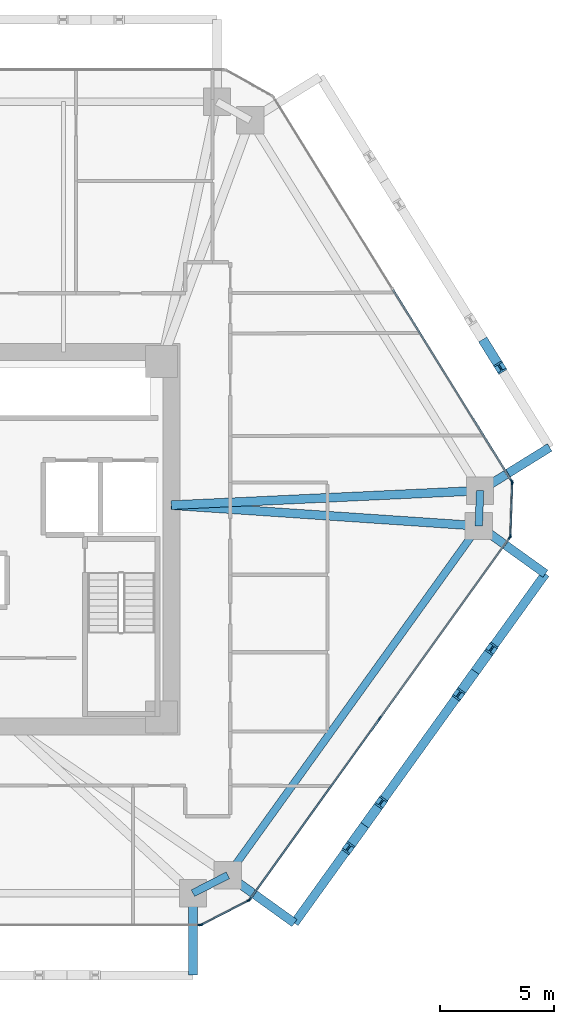
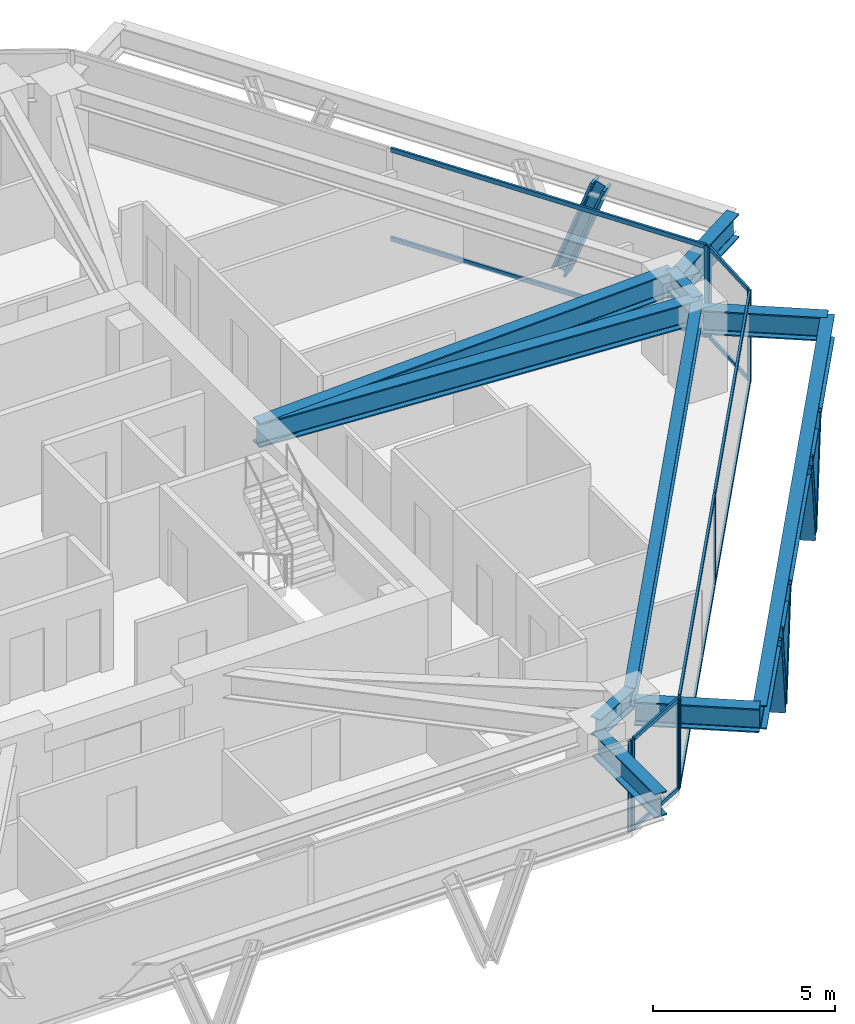
# One storey, part 5 of 14: 24 members, 10 beams, 5 elements without a shape of their own.
"""IFC4 building model written with IfcOpenShell, lengths in metres."""

from ifc_helpers import new_model, si_unit, direction, frame, origin, origin_2d, place, context, subcontext, project, spatial, rectangle, i_section, extrude, source, transform, mapped, material, layer, layer_set, material_profile, profile_set, type_object, type_shapes, element, aggregate, save


model = new_model("IFC4")

# Units and contexts
model_context = context("Model", 3, precision=1e-05, world=origin(), true_north=direction((0.0, 1.0)))
body_context = subcontext(model_context, "Body", "Model", "MODEL_VIEW")
ifc_project = project(units=[si_unit("LENGTHUNIT", "METRE"), si_unit("AREAUNIT", "SQUARE_METRE"), si_unit("VOLUMEUNIT", "CUBIC_METRE"), si_unit("PLANEANGLEUNIT", "RADIAN"), si_unit("MASSUNIT", "GRAM", prefix="KILO")], contexts=[model_context])

# Site, building, storey
site_placement = place(None, origin())
site = spatial("IfcSite", under=ifc_project, at=site_placement, CompositionType="ELEMENT")
building_placement = place(site_placement, origin())
building = spatial("IfcBuilding", under=site, at=building_placement, Name="Durnholm Broadcast Tower", CompositionType="ELEMENT")
storey_placement = place(building_placement, frame((0.0, 0.0, 114.0)))
storey = spatial("IfcBuildingStorey", under=building, at=storey_placement, Name="L30", CompositionType="ELEMENT", Elevation=114.0)

# Beams
ifc_material_1 = material(Name="Steel ASTM A992 Grade 50", Category="steel")
ifc_material_profile_1 = material_profile(ifc_material_1, i_section(OverallWidth=0.385009765625, OverallDepth=0.802978515625, WebThickness=0.023681640625, FlangeThickness=0.0419921875, FilletRadius=0.032958984375, at=origin_2d()), Name="W30X261")
ifc_profile_set_1 = profile_set([ifc_material_profile_1], Name="Steel ASTM A992 Grade 50")
beam_type_1 = type_object("IfcBeamType", Name="BM-EXO-TIE", PredefinedType="USERDEFINED", material=ifc_profile_set_1)
shared_shape_1 = source(origin(), body_context, "Body", "SweptSolid", [
    extrude(i_section(OverallWidth=0.385009765625, OverallDepth=0.802978515625, WebThickness=0.023681640625, FlangeThickness=0.0419921875, FilletRadius=0.032958984375, at=origin_2d()), origin(), (0.0, 0.0, 1.0), 3.4560546875),
])
for number, where, z_axis, x_axis, name in (
    (1, (11.176025390625, -15.680908203125, 2.30859375), (0.0, -1.0, 0.0), (1.0, 0.0, 0.0), "L30 exoskeleton stand-off tie bracket F1.2"),
    (2, (12.826904296875, -14.834228515625, 2.30859375), (0.812164951739, -0.583427880005, 0.0), (0.583427880005, 0.812164951739, 0.0), "L30 exoskeleton stand-off tie bracket F2.1"),
    (3, (23.844970703125, 0.5029296875, 2.30859375), (0.812164951739, -0.583427880005, 0.0), (0.583427880005, 0.812164951739, 0.0), "L30 exoskeleton stand-off tie bracket F2.2"),
    (4, (23.903076171875, 2.21240234375, 2.30859375), (0.849795112316, 0.527113144481, 0.0), (-0.527113144481, 0.849795112316, 0.0), "L30 exoskeleton stand-off tie bracket F3.1"),
):
    element("IfcBeam", number, at=place(storey_placement, frame(where, z_axis=z_axis, x_axis=x_axis)), inside=storey, type_object=beam_type_1, Name=name, ObjectType="GIRDER", PredefinedType="USERDEFINED", context=body_context, shape_type="MappedRepresentation", body=[
        mapped(shared_shape_1, transform((0.0, 0.0, 0.0), x_axis=(1.0, 0.0, 0.0), y_axis=(0.0, 1.0, 0.0), z_axis=(0.0, 0.0, 1.0), scale=1.0)),
    ])
ifc_material_profile_2 = material_profile(ifc_material_1, i_section(OverallWidth=0.3291015625, OverallDepth=0.635009765625, WebThickness=0.017822265625, FlangeThickness=0.031005859375, FilletRadius=0.02783203125, at=origin_2d()), Name="W24X162")
ifc_profile_set_2 = profile_set([ifc_material_profile_2], Name="Steel ASTM A992 Grade 50")
beam_type_2 = type_object("IfcBeamType", Name="STL-SP-W24X162", PredefinedType="SPANDREL", material=ifc_profile_set_2)
shared_shape_2 = source(origin(), body_context, "Body", "SweptSolid", [
    extrude(i_section(OverallWidth=0.3291015625, OverallDepth=0.635009765625, WebThickness=0.017822265625, FlangeThickness=0.031005859375, FilletRadius=0.02783203125, at=origin_2d()), origin(), (0.0, 0.0, 1.0), 18.884521484375),
])
beam_1_placement = place(storey_placement, frame((23.72802734375, 0.5869140625, 2.7275390625), z_axis=(-0.583443434414, -0.812153777827, 0.0), x_axis=(0.812153777827, -0.583443434414, 0.0)))
element("IfcBeam", 5, at=beam_1_placement, inside=storey, type_object=beam_type_2, Name="L30 perimeter spandrel girder 09", PredefinedType="SPANDREL", context=body_context, shape_type="MappedRepresentation", body=[
    mapped(shared_shape_2, transform((0.0, 0.0, 0.0), x_axis=(1.0, 0.0, 0.0), y_axis=(0.0, 1.0, 0.0), z_axis=(0.0, 0.0, 1.0), scale=1.0)),
])
shared_shape_3 = source(origin(), body_context, "Body", "SweptSolid", [
    extrude(i_section(OverallWidth=0.3291015625, OverallDepth=0.635009765625, WebThickness=0.017822265625, FlangeThickness=0.031005859375, FilletRadius=0.02783203125, at=origin_2d()), origin(), (0.0, 0.0, 1.0), 1.723876953125),
])
beam_2_placement = place(storey_placement, frame((12.7099609375, -14.750244140625, 2.7275390625), z_axis=(-0.889762904339, -0.456423020959, 0.0), x_axis=(0.456423020959, -0.889762904339, 0.0)))
element("IfcBeam", 6, at=beam_2_placement, inside=storey, type_object=beam_type_2, Name="L30 perimeter spandrel girder 10", PredefinedType="SPANDREL", context=body_context, shape_type="MappedRepresentation", body=[
    mapped(shared_shape_3, transform((0.0, 0.0, 0.0), x_axis=(1.0, 0.0, 0.0), y_axis=(0.0, 1.0, 0.0), z_axis=(0.0, 0.0, 1.0), scale=1.0)),
])
shared_shape_4 = source(origin(), body_context, "Body", "SweptSolid", [
    extrude(i_section(OverallWidth=0.3291015625, OverallDepth=0.635009765625, WebThickness=0.017822265625, FlangeThickness=0.031005859375, FilletRadius=0.02783203125, at=origin_2d()), origin(), (0.0, 0.0, 1.0), 1.55078125),
])
type_shapes(beam_type_2, [shared_shape_2, shared_shape_3, shared_shape_4])
beam_3_placement = place(storey_placement, frame((23.78076171875, 2.13671875, 2.7275390625), z_axis=(-0.03400678419, -0.999421602042, 0.0), x_axis=(0.999421602042, -0.03400678419, 0.0)))
element("IfcBeam", 7, at=beam_3_placement, inside=storey, type_object=beam_type_2, Name="L30 perimeter spandrel girder 08", PredefinedType="SPANDREL", context=body_context, shape_type="MappedRepresentation", body=[
    mapped(shared_shape_4, transform((0.0, 0.0, 0.0), x_axis=(1.0, 0.0, 0.0), y_axis=(0.0, 1.0, 0.0), z_axis=(0.0, 0.0, 1.0), scale=1.0)),
])
ifc_material_profile_3 = material_profile(ifc_material_1, i_section(OverallWidth=0.385009765625, OverallDepth=0.802978515625, WebThickness=0.023681640625, FlangeThickness=0.0419921875, FilletRadius=0.032958984375, at=origin_2d()), Name="W30X261")
ifc_profile_set_3 = profile_set([ifc_material_profile_3], Name="Steel ASTM A992 Grade 50")
beam_type_3 = type_object("IfcBeamType", Name="STL-GR-W30X261", PredefinedType="USERDEFINED", material=ifc_profile_set_3)
shared_shape_5 = source(origin(), body_context, "Body", "SweptSolid", [
    extrude(i_section(OverallWidth=0.385009765625, OverallDepth=0.802978515625, WebThickness=0.023681640625, FlangeThickness=0.0419921875, FilletRadius=0.032958984375, at=origin_2d()), origin(), (0.0, 0.0, 1.0), 13.570556640625),
])
beam_4_placement = place(storey_placement, frame((10.22509765625, 1.5, 2.6435546875), z_axis=(0.99889869961, 0.046918950518, 0.0), x_axis=(-0.046918950518, 0.99889869961, 0.0)))
element("IfcBeam", 8, at=beam_4_placement, inside=storey, type_object=beam_type_3, Name="L30 radial primary floor girder 08", ObjectType="GIRDER", PredefinedType="USERDEFINED", context=body_context, shape_type="MappedRepresentation", body=[
    mapped(shared_shape_5, transform((0.0, 0.0, 0.0), x_axis=(1.0, 0.0, 0.0), y_axis=(0.0, 1.0, 0.0), z_axis=(0.0, 0.0, 1.0), scale=1.0)),
])
shared_shape_6 = source(origin(), body_context, "Body", "SweptSolid", [
    extrude(i_section(OverallWidth=0.385009765625, OverallDepth=0.802978515625, WebThickness=0.023681640625, FlangeThickness=0.0419921875, FilletRadius=0.032958984375, at=origin_2d()), origin(), (0.0, 0.0, 1.0), 13.53369140625),
])
type_shapes(beam_type_3, [shared_shape_5, shared_shape_6])
beam_5_placement = place(storey_placement, frame((10.22509765625, 1.5, 2.6435546875), z_axis=(0.99772148964, -0.067467244725, 0.0), x_axis=(0.067467244725, 0.99772148964, 0.0)))
element("IfcBeam", 9, at=beam_5_placement, inside=storey, type_object=beam_type_3, Name="L30 radial primary floor girder 09", ObjectType="GIRDER", PredefinedType="USERDEFINED", context=body_context, shape_type="MappedRepresentation", body=[
    mapped(shared_shape_6, transform((0.0, 0.0, 0.0), x_axis=(1.0, 0.0, 0.0), y_axis=(0.0, 1.0, 0.0), z_axis=(0.0, 0.0, 1.0), scale=1.0)),
])
shared_shape_7 = source(origin(), body_context, "Body", "SweptSolid", [
    extrude(i_section(OverallWidth=0.385009765625, OverallDepth=0.802978515625, WebThickness=0.023681640625, FlangeThickness=0.0419921875, FilletRadius=0.032958984375, at=origin_2d()), origin(), (0.0, 0.0, 1.0), 18.884521484375),
])
type_shapes(beam_type_1, [shared_shape_1, shared_shape_7])
beam_6_placement = place(storey_placement, frame((15.6337890625, -16.8505859375, 2.30859375), z_axis=(0.583443434414, 0.812153777827, 0.0), x_axis=(-0.812153777827, 0.583443434414, 0.0)))
element("IfcBeam", 10, at=beam_6_placement, inside=storey, type_object=beam_type_1, Name="L30 exoskeleton collector spandrel F2", PredefinedType="SPANDREL", context=body_context, shape_type="MappedRepresentation", body=[
    mapped(shared_shape_7, transform((0.0, 0.0, 0.0), x_axis=(1.0, 0.0, 0.0), y_axis=(0.0, 1.0, 0.0), z_axis=(0.0, 0.0, 1.0), scale=1.0)),
])

# Members
ifc_material_2 = material(Name="Steel ASTM A913 Grade 65", Category="steel")
ifc_material_profile_4 = material_profile(ifc_material_2, i_section(OverallWidth=0.424072265625, OverallDepth=0.47412109375, WebThickness=0.047607421875, FlangeThickness=0.0771484375, FilletRadius=0.030517578125, at=origin_2d()), Name="W14X426")
ifc_profile_set_4 = profile_set([ifc_material_profile_4], Name="Steel ASTM A913 Grade 65")
member_type_1 = type_object("IfcMemberType", Name="STL-DG-W14X426", PredefinedType="BRACE", material=ifc_profile_set_4)
shared_shape_8 = source(origin(), body_context, "Body", "SweptSolid", [
    extrude(i_section(OverallWidth=0.424072265625, OverallDepth=0.47412109375, WebThickness=0.047607421875, FlangeThickness=0.0771484375, FilletRadius=0.030517578125, at=origin_2d()), origin(), (0.0, 0.0, 1.0), 3.523193359375),
])
type_shapes(member_type_1, [shared_shape_8])
for number, where, z_axis, x_axis, name in (
    (11, (18.71875, -12.556396484375, -0.991455078125), (-0.204287819296, -0.284395254542, 0.936688756248), (0.812179469647, -0.583407669717, 0.0), "L30 stand-off diagrid brace F2.D1.1"),
    (12, (18.71875, -12.556396484375, -0.991455078125), (0.204350195342, 0.284454917557, 0.936657033039), (-0.812153063014, 0.583444429434, 0.0), "L30 stand-off diagrid brace F2.D1.2"),
    (13, (23.56689453125, -5.807861328125, -0.991455078125), (-0.204350195342, -0.284454917557, 0.936657033039), (0.812153063014, -0.583444429434, 0.0), "L30 stand-off diagrid brace F2.D2.1"),
    (14, (23.56689453125, -5.807861328125, -0.991455078125), (0.204287819296, 0.284395254542, 0.936688756248), (-0.812179469647, 0.583407669717, 0.0), "L30 stand-off diagrid brace F2.D2.2"),
    (15, (24.01513671875, 8.58837890625, -0.991455078125), (0.184602835855, -0.297623566065, 0.936665364961), (0.849805205368, 0.527096872433, 0.0), "L30 stand-off diagrid brace F3.D1.1"),
):
    element("IfcMember", number, at=place(storey_placement, frame(where, z_axis=z_axis, x_axis=x_axis)), inside=storey, type_object=member_type_1, Name=name, PredefinedType="BRACE", context=body_context, shape_type="MappedRepresentation", body=[
        mapped(shared_shape_8, transform((0.0, 0.0, 0.0), x_axis=(1.0, 0.0, 0.0), y_axis=(0.0, 1.0, 0.0), z_axis=(0.0, 0.0, 1.0), scale=1.0)),
    ])

# Curtain wall, members
ifc_material_3 = material(Name="Aluminium and Solar Control IGU", Category="aluminium")
ifc_layer_1 = layer(ifc_material_3, 0.1650390625)
ifc_layer_set_1 = layer_set([ifc_layer_1], Name="Aluminium and Solar Control IGU")
curtain_wall_type_1 = type_object("IfcCurtainWallType", Name="CW-SYS-5", PredefinedType="NOTDEFINED", material=ifc_layer_set_1)
curtain_wall_1_placement = place(storey_placement, origin())
curtain_wall_1 = element("IfcCurtainWall", 16, at=curtain_wall_1_placement, inside=storey, type_object=curtain_wall_type_1, Name="L30 curtain wall CW-CORNER CW-L30-CRN-07", PredefinedType="NOTDEFINED")
ifc_material_4 = material(Name="Aluminium 6063-T6", Category="aluminium")
ifc_material_profile_5 = material_profile(ifc_material_4, rectangle(XDim=0.06494140625, YDim=0.1650390625, at=origin_2d()), Name="CWM65X165")
ifc_profile_set_5 = profile_set([ifc_material_profile_5], Name="Aluminium 6063-T6")
member_type_2 = type_object("IfcMemberType", Name="CW-SYS-5-MUL", PredefinedType="MULLION", material=ifc_profile_set_5)
shared_shape_9 = source(origin(), body_context, "Body", "SweptSolid", [
    extrude(rectangle(XDim=0.06494140625, YDim=0.1650390625, at=origin_2d()), origin(), (0.0, 0.0, 1.0), 3.06005859375),
])
type_shapes(member_type_2, [shared_shape_9])
member_1_placement = place(storey_placement, frame((25.193115234375, 2.481201171875, 0.0), z_axis=(0.0, 0.0, 1.0), x_axis=(0.999424655155, -0.033916937775, 0.0)))
member_1 = element("IfcMember", 17, at=member_1_placement, type_object=member_type_2, Name="CW-CORNER mullion 1", PredefinedType="MULLION", context=body_context, shape_type="MappedRepresentation", body=[
    mapped(shared_shape_9, transform((0.0, 0.0, 0.0), x_axis=(1.0, 0.0, 0.0), y_axis=(0.0, 1.0, 0.0), z_axis=(0.0, 0.0, 1.0), scale=1.0)),
])
member_2_placement = place(storey_placement, frame((25.114013671875, 0.1474609375, 0.0), z_axis=(0.0, 0.0, 1.0), x_axis=(0.999424655155, -0.033916937775, 0.0)))
member_2 = element("IfcMember", 18, at=member_2_placement, type_object=member_type_2, Name="CW-CORNER mullion 2", PredefinedType="MULLION", context=body_context, shape_type="MappedRepresentation", body=[
    mapped(shared_shape_9, transform((0.0, 0.0, 0.0), x_axis=(1.0, 0.0, 0.0), y_axis=(0.0, 1.0, 0.0), z_axis=(0.0, 0.0, 1.0), scale=1.0)),
])

curtain_wall_2_placement = place(storey_placement, origin())
curtain_wall_2 = element("IfcCurtainWall", 19, at=curtain_wall_2_placement, inside=storey, type_object=curtain_wall_type_1, Name="L30 curtain wall CW-CORNER CW-L30-CRN-09", PredefinedType="NOTDEFINED")
member_3_placement = place(storey_placement, frame((13.620849609375, -15.8564453125, 0.0), z_axis=(0.0, 0.0, 1.0), x_axis=(0.45637332267, -0.889788396392, 0.0)))
member_3 = element("IfcMember", 20, at=member_3_placement, type_object=member_type_2, Name="CW-CORNER mullion 1", PredefinedType="MULLION", context=body_context, shape_type="MappedRepresentation", body=[
    mapped(shared_shape_9, transform((0.0, 0.0, 0.0), x_axis=(1.0, 0.0, 0.0), y_axis=(0.0, 1.0, 0.0), z_axis=(0.0, 0.0, 1.0), scale=1.0)),
])
member_4_placement = place(storey_placement, frame((11.543212890625, -16.922119140625, 0.0), z_axis=(0.0, 0.0, 1.0), x_axis=(0.45637332267, -0.889788396392, 0.0)))
member_4 = element("IfcMember", 21, at=member_4_placement, type_object=member_type_2, Name="CW-CORNER mullion 2", PredefinedType="MULLION", context=body_context, shape_type="MappedRepresentation", body=[
    mapped(shared_shape_9, transform((0.0, 0.0, 0.0), x_axis=(1.0, 0.0, 0.0), y_axis=(0.0, 1.0, 0.0), z_axis=(0.0, 0.0, 1.0), scale=1.0)),
])

# Curtain wall, member
ifc_layer_2 = layer(ifc_material_3, 0.18994140625)
ifc_layer_set_2 = layer_set([ifc_layer_2], Name="Aluminium and Solar Control IGU")
curtain_wall_type_2 = type_object("IfcCurtainWallType", Name="CW-SYS-3", PredefinedType="NOTDEFINED", material=ifc_layer_set_2)
curtain_wall_3_placement = place(storey_placement, origin())
curtain_wall_3 = element("IfcCurtainWall", 22, at=curtain_wall_3_placement, inside=storey, type_object=curtain_wall_type_2, Name="L30 curtain wall CW-Z12-VIS CW-L30-F06", PredefinedType="NOTDEFINED")
ifc_material_profile_6 = material_profile(ifc_material_4, rectangle(XDim=0.070068359375, YDim=0.18994140625, at=origin_2d()), Name="CWM70X190")
ifc_profile_set_6 = profile_set([ifc_material_profile_6], Name="Aluminium 6063-T6")
member_type_3 = type_object("IfcMemberType", Name="CW-SYS-3-MUL", PredefinedType="MULLION", material=ifc_profile_set_6)
shared_shape_10 = source(origin(), body_context, "Body", "SweptSolid", [
    extrude(rectangle(XDim=0.070068359375, YDim=0.18994140625, at=origin_2d()), origin(), (0.0, 0.0, 1.0), 3.06005859375),
])
type_shapes(member_type_3, [shared_shape_10])
member_5_placement = place(storey_placement, frame((25.17578125, 2.54345703125, 0.0), z_axis=(0.0, 0.0, 1.0), x_axis=(0.849799925229, 0.527105385176, 0.0)))
member_5 = element("IfcMember", 23, at=member_5_placement, type_object=member_type_3, Name="CW-Z12-VIS mullion 3", PredefinedType="MULLION", context=body_context, shape_type="MappedRepresentation", body=[
    mapped(shared_shape_10, transform((0.0, 0.0, 0.0), x_axis=(1.0, 0.0, 0.0), y_axis=(0.0, 1.0, 0.0), z_axis=(0.0, 0.0, 1.0), scale=1.0)),
])

# Curtain wall, members
curtain_wall_4_placement = place(storey_placement, origin())
curtain_wall_4 = element("IfcCurtainWall", 24, at=curtain_wall_4_placement, inside=storey, type_object=curtain_wall_type_2, Name="L30 curtain wall CW-Z12-VIS CW-L30-F08", PredefinedType="NOTDEFINED")
member_6_placement = place(storey_placement, frame((25.092529296875, 0.086669921875, 0.0), z_axis=(0.0, 0.0, 1.0), x_axis=(0.812152312759, -0.583445473786, 0.0)))
member_6 = element("IfcMember", 25, at=member_6_placement, type_object=member_type_3, Name="CW-Z12-VIS mullion 1", PredefinedType="MULLION", context=body_context, shape_type="MappedRepresentation", body=[
    mapped(shared_shape_10, transform((0.0, 0.0, 0.0), x_axis=(1.0, 0.0, 0.0), y_axis=(0.0, 1.0, 0.0), z_axis=(0.0, 0.0, 1.0), scale=1.0)),
])
member_7_placement = place(storey_placement, frame((19.38134765625, -7.86328125, 0.0), z_axis=(0.0, 0.0, 1.0), x_axis=(0.812152312759, -0.583445473786, 0.0)))
member_7 = element("IfcMember", 26, at=member_7_placement, type_object=member_type_3, Name="CW-Z12-VIS mullion 2", PredefinedType="MULLION", context=body_context, shape_type="MappedRepresentation", body=[
    mapped(shared_shape_10, transform((0.0, 0.0, 0.0), x_axis=(1.0, 0.0, 0.0), y_axis=(0.0, 1.0, 0.0), z_axis=(0.0, 0.0, 1.0), scale=1.0)),
])
member_8_placement = place(storey_placement, frame((13.670166015625, -15.813232421875, 0.0), z_axis=(0.0, 0.0, 1.0), x_axis=(0.812152312759, -0.583445473786, 0.0)))
member_8 = element("IfcMember", 27, at=member_8_placement, type_object=member_type_3, Name="CW-Z12-VIS mullion 3", PredefinedType="MULLION", context=body_context, shape_type="MappedRepresentation", body=[
    mapped(shared_shape_10, transform((0.0, 0.0, 0.0), x_axis=(1.0, 0.0, 0.0), y_axis=(0.0, 1.0, 0.0), z_axis=(0.0, 0.0, 1.0), scale=1.0)),
])

# Curtain wall, member
curtain_wall_5_placement = place(storey_placement, origin())
curtain_wall_5 = element("IfcCurtainWall", 28, at=curtain_wall_5_placement, inside=storey, type_object=curtain_wall_type_2, Name="L30 curtain wall CW-Z12-VIS CW-L30-F10", PredefinedType="NOTDEFINED")
member_9_placement = place(storey_placement, frame((11.479248046875, -16.93701171875, 0.0), z_axis=(0.0, 0.0, 1.0), x_axis=(0.0, -1.0, 0.0)))
member_9 = element("IfcMember", 29, at=member_9_placement, type_object=member_type_3, Name="CW-Z12-VIS mullion 1", PredefinedType="MULLION", context=body_context, shape_type="MappedRepresentation", body=[
    mapped(shared_shape_10, transform((0.0, 0.0, 0.0), x_axis=(1.0, 0.0, 0.0), y_axis=(0.0, 1.0, 0.0), z_axis=(0.0, 0.0, 1.0), scale=1.0)),
])
aggregate(curtain_wall_5, [member_9])

# Member
ifc_material_profile_7 = material_profile(ifc_material_4, rectangle(XDim=0.06494140625, YDim=0.1298828125, at=origin_2d()), Name="CWT65X130")
ifc_profile_set_7 = profile_set([ifc_material_profile_7], Name="Aluminium 6063-T6")
member_type_4 = type_object("IfcMemberType", Name="CW-SYS-5-TRN", PredefinedType="USERDEFINED", material=ifc_profile_set_7)
shared_shape_11 = source(origin(), body_context, "Body", "SweptSolid", [
    extrude(rectangle(XDim=0.06494140625, YDim=0.1298828125, at=origin_2d()), origin(), (0.0, 0.0, 1.0), 2.27001953125),
])
type_shapes(member_type_4, [shared_shape_11])
member_10_placement = place(storey_placement, frame((25.192138671875, 2.44873046875, 0.032470703125), z_axis=(-0.03398444704, -0.999422361847, 0.0), x_axis=(0.999422361847, -0.03398444704, 0.0)))
member_10 = element("IfcMember", 30, at=member_10_placement, type_object=member_type_4, Name="CW-CORNER transom 1.1", ObjectType="TRANSOM", PredefinedType="USERDEFINED", context=body_context, shape_type="MappedRepresentation", body=[
    mapped(shared_shape_11, transform((0.0, 0.0, 0.0), x_axis=(1.0, 0.0, 0.0), y_axis=(0.0, 1.0, 0.0), z_axis=(0.0, 0.0, 1.0), scale=1.0)),
])

member_11_placement = place(storey_placement, frame((25.192138671875, 2.44873046875, 3.027587890625), z_axis=(-0.03398444704, -0.999422361847, 0.0), x_axis=(0.999422361847, -0.03398444704, 0.0)))
member_11 = element("IfcMember", 31, at=member_11_placement, type_object=member_type_4, Name="CW-CORNER transom 1.2", ObjectType="TRANSOM", PredefinedType="USERDEFINED", context=body_context, shape_type="MappedRepresentation", body=[
    mapped(shared_shape_11, transform((0.0, 0.0, 0.0), x_axis=(1.0, 0.0, 0.0), y_axis=(0.0, 1.0, 0.0), z_axis=(0.0, 0.0, 1.0), scale=1.0)),
])

aggregate(curtain_wall_1, [member_1, member_2, member_10, member_11])

member_12_placement = place(storey_placement, frame((13.591796875, -15.871337890625, 0.032470703125), z_axis=(-0.889798425843, -0.456353767781, 0.0), x_axis=(0.456353767781, -0.889798425843, 0.0)))
member_12 = element("IfcMember", 32, at=member_12_placement, type_object=member_type_4, Name="CW-CORNER transom 1.1", ObjectType="TRANSOM", PredefinedType="USERDEFINED", context=body_context, shape_type="MappedRepresentation", body=[
    mapped(shared_shape_11, transform((0.0, 0.0, 0.0), x_axis=(1.0, 0.0, 0.0), y_axis=(0.0, 1.0, 0.0), z_axis=(0.0, 0.0, 1.0), scale=1.0)),
])

member_13_placement = place(storey_placement, frame((13.591796875, -15.871337890625, 3.027587890625), z_axis=(-0.889798425843, -0.456353767781, 0.0), x_axis=(0.456353767781, -0.889798425843, 0.0)))
member_13 = element("IfcMember", 33, at=member_13_placement, type_object=member_type_4, Name="CW-CORNER transom 1.2", ObjectType="TRANSOM", PredefinedType="USERDEFINED", context=body_context, shape_type="MappedRepresentation", body=[
    mapped(shared_shape_11, transform((0.0, 0.0, 0.0), x_axis=(1.0, 0.0, 0.0), y_axis=(0.0, 1.0, 0.0), z_axis=(0.0, 0.0, 1.0), scale=1.0)),
])

aggregate(curtain_wall_2, [member_3, member_4, member_12, member_13])

ifc_material_profile_8 = material_profile(ifc_material_4, rectangle(XDim=0.070068359375, YDim=0.14990234375, at=origin_2d()), Name="CWT70X150")
ifc_profile_set_8 = profile_set([ifc_material_profile_8], Name="Aluminium 6063-T6")
member_type_5 = type_object("IfcMemberType", Name="CW-SYS-3-TRN", PredefinedType="USERDEFINED", material=ifc_profile_set_8)
shared_shape_12 = source(origin(), body_context, "Body", "SweptSolid", [
    extrude(rectangle(XDim=0.070068359375, YDim=0.14990234375, at=origin_2d()), origin(), (0.0, 0.0, 1.0), 9.71875),
])
member_14_placement = place(storey_placement, frame((25.072021484375, 0.05810546875, 0.034912109375), z_axis=(-0.583450726174, -0.812148539448, 0.0), x_axis=(0.812148539448, -0.583450726174, 0.0)))
member_14 = element("IfcMember", 34, at=member_14_placement, type_object=member_type_5, Name="CW-Z12-VIS transom 1.1", ObjectType="TRANSOM", PredefinedType="USERDEFINED", context=body_context, shape_type="MappedRepresentation", body=[
    mapped(shared_shape_12, transform((0.0, 0.0, 0.0), x_axis=(1.0, 0.0, 0.0), y_axis=(0.0, 1.0, 0.0), z_axis=(0.0, 0.0, 1.0), scale=1.0)),
])

member_15_placement = place(storey_placement, frame((25.072021484375, 0.05810546875, 3.02490234375), z_axis=(-0.583450726174, -0.812148539448, 0.0), x_axis=(0.812148539448, -0.583450726174, 0.0)))
member_15 = element("IfcMember", 35, at=member_15_placement, type_object=member_type_5, Name="CW-Z12-VIS transom 1.2", ObjectType="TRANSOM", PredefinedType="USERDEFINED", context=body_context, shape_type="MappedRepresentation", body=[
    mapped(shared_shape_12, transform((0.0, 0.0, 0.0), x_axis=(1.0, 0.0, 0.0), y_axis=(0.0, 1.0, 0.0), z_axis=(0.0, 0.0, 1.0), scale=1.0)),
])

member_16_placement = place(storey_placement, frame((19.36083984375, -7.891845703125, 0.034912109375), z_axis=(-0.583450726174, -0.812148539448, 0.0), x_axis=(0.812148539448, -0.583450726174, 0.0)))
member_16 = element("IfcMember", 36, at=member_16_placement, type_object=member_type_5, Name="CW-Z12-VIS transom 2.1", ObjectType="TRANSOM", PredefinedType="USERDEFINED", context=body_context, shape_type="MappedRepresentation", body=[
    mapped(shared_shape_12, transform((0.0, 0.0, 0.0), x_axis=(1.0, 0.0, 0.0), y_axis=(0.0, 1.0, 0.0), z_axis=(0.0, 0.0, 1.0), scale=1.0)),
])

member_17_placement = place(storey_placement, frame((19.36083984375, -7.891845703125, 3.02490234375), z_axis=(-0.583450726174, -0.812148539448, 0.0), x_axis=(0.812148539448, -0.583450726174, 0.0)))
member_17 = element("IfcMember", 37, at=member_17_placement, type_object=member_type_5, Name="CW-Z12-VIS transom 2.2", ObjectType="TRANSOM", PredefinedType="USERDEFINED", context=body_context, shape_type="MappedRepresentation", body=[
    mapped(shared_shape_12, transform((0.0, 0.0, 0.0), x_axis=(1.0, 0.0, 0.0), y_axis=(0.0, 1.0, 0.0), z_axis=(0.0, 0.0, 1.0), scale=1.0)),
])

aggregate(curtain_wall_4, [member_6, member_7, member_8, member_14, member_15, member_16, member_17])

shared_shape_13 = source(origin(), body_context, "Body", "SweptSolid", [
    extrude(rectangle(XDim=0.070068359375, YDim=0.14990234375, at=origin_2d()), origin(), (0.0, 0.0, 1.0), 9.859130859375),
])
type_shapes(member_type_5, [shared_shape_12, shared_shape_13])
member_18_placement = place(storey_placement, frame((19.960693359375, 10.951171875, 0.034912109375), z_axis=(0.527108872232, -0.849797762303, 0.0), x_axis=(0.849797762303, 0.527108872232, 0.0)))
member_18 = element("IfcMember", 38, at=member_18_placement, type_object=member_type_5, Name="CW-Z12-VIS transom 2.1", ObjectType="TRANSOM", PredefinedType="USERDEFINED", context=body_context, shape_type="MappedRepresentation", body=[
    mapped(shared_shape_13, transform((0.0, 0.0, 0.0), x_axis=(1.0, 0.0, 0.0), y_axis=(0.0, 1.0, 0.0), z_axis=(0.0, 0.0, 1.0), scale=1.0)),
])

member_19_placement = place(storey_placement, frame((19.960693359375, 10.951171875, 3.02490234375), z_axis=(0.527108872232, -0.849797762303, 0.0), x_axis=(0.849797762303, 0.527108872232, 0.0)))
member_19 = element("IfcMember", 39, at=member_19_placement, type_object=member_type_5, Name="CW-Z12-VIS transom 2.2", ObjectType="TRANSOM", PredefinedType="USERDEFINED", context=body_context, shape_type="MappedRepresentation", body=[
    mapped(shared_shape_13, transform((0.0, 0.0, 0.0), x_axis=(1.0, 0.0, 0.0), y_axis=(0.0, 1.0, 0.0), z_axis=(0.0, 0.0, 1.0), scale=1.0)),
])

aggregate(curtain_wall_3, [member_5, member_18, member_19])

save(model, "model.ifc")
